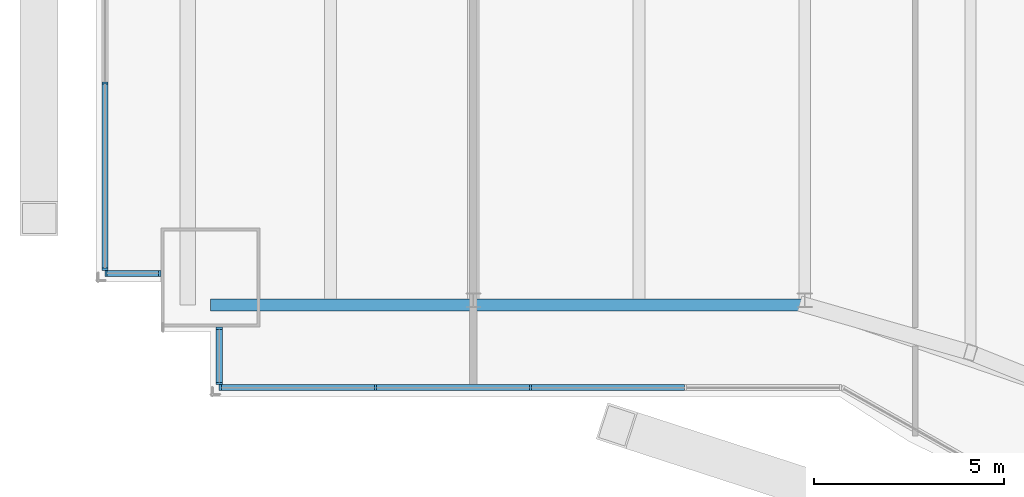
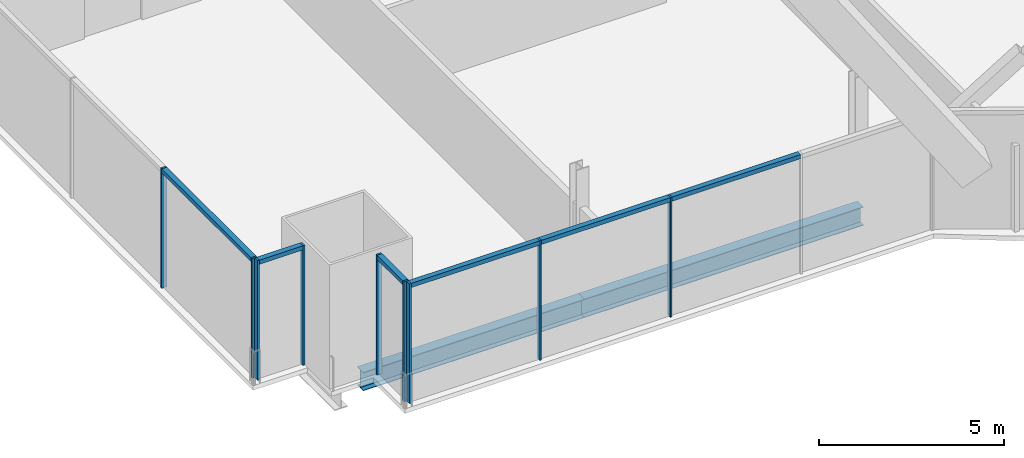
# One storey, part 5 of 24: 15 members, 2 beams, 4 elements without a shape of their own.
"""IFC4 building model written with IfcOpenShell, lengths in metres."""

from ifc_helpers import new_model, si_unit, direction, frame, origin, origin_2d, place, context, subcontext, project, spatial, rectangle, i_section, extrude, material, material_profile, profile_set, type_object, element, aggregate, save


model = new_model("IFC4")

# Units and contexts
model_context = context("Model", 3, precision=1e-05, world=origin(), true_north=direction((0.0, 1.0)))
body_context = subcontext(model_context, "Body", "Model", "MODEL_VIEW")
ifc_project = project(units=[si_unit("LENGTHUNIT", "METRE"), si_unit("AREAUNIT", "SQUARE_METRE"), si_unit("VOLUMEUNIT", "CUBIC_METRE"), si_unit("PLANEANGLEUNIT", "RADIAN"), si_unit("MASSUNIT", "GRAM", prefix="KILO")], contexts=[model_context])

# Site, building, storey
site_placement = place(None, origin())
site = spatial("IfcSite", under=ifc_project, at=site_placement, CompositionType="ELEMENT")
building_placement = place(site_placement, origin())
building = spatial("IfcBuilding", under=site, at=building_placement, Name="Bicima Exchange Tower", CompositionType="ELEMENT")
storey_placement = place(building_placement, frame((0.0, 0.0, 160.89990234375)))
storey = spatial("IfcBuildingStorey", under=building, at=storey_placement, Name="L35", CompositionType="ELEMENT", Elevation=160.89990234375)

# Curtain wall, members
ifc_material_1 = material(Name="Anodised bronze aluminium", Category="aluminium")
curtain_wall_type_1 = type_object("IfcCurtainWallType", Name="End face glass wall", PredefinedType="NOTDEFINED", material=ifc_material_1)
curtain_wall_1_placement = place(storey_placement, origin())
curtain_wall_1 = element("IfcCurtainWall", 1, at=curtain_wall_1_placement, inside=storey, type_object=curtain_wall_type_1, Name="End face glass wall L35 run 2", PredefinedType="NOTDEFINED")
ifc_material_profile_1 = material_profile(ifc_material_1, rectangle(XDim=0.159912109375, YDim=0.06005859375, at=origin_2d()))
ifc_profile_set_1 = profile_set([ifc_material_profile_1], Name="Anodised bronze aluminium")
member_type_1 = type_object("IfcMemberType", Name="End face glass wall mullion 60 x 160", PredefinedType="MULLION", material=ifc_profile_set_1)
member_1_placement = place(storey_placement, frame((-35.77001953125, -26.695556640625, 0.0), z_axis=(0.0, 0.0, 1.0), x_axis=(1.0, 0.0, 0.0)))
member_1 = element("IfcMember", 2, at=member_1_placement, type_object=member_type_1, Name="End face glass wall mullion 4", PredefinedType="MULLION", context=body_context, shape_type="SweptSolid", body=[
    extrude(rectangle(XDim=0.159912109375, YDim=0.06005859375, at=origin_2d()), origin(), (0.0, 0.0, 1.0), 3.9501953125),
])
member_2_placement = place(storey_placement, frame((-35.77001953125, -31.583984375, 0.0), z_axis=(0.0, 0.0, 1.0), x_axis=(1.0, 0.0, 0.0)))
member_2 = element("IfcMember", 3, at=member_2_placement, type_object=member_type_1, Name="End face glass wall mullion 5", PredefinedType="MULLION", context=body_context, shape_type="SweptSolid", body=[
    extrude(rectangle(XDim=0.159912109375, YDim=0.06005859375, at=origin_2d()), origin(), (0.0, 0.0, 1.0), 3.9501953125),
])
ifc_material_profile_2 = material_profile(ifc_material_1, rectangle(XDim=0.159912109375, YDim=0.139892578125, at=origin_2d()))
ifc_profile_set_2 = profile_set([ifc_material_profile_2], Name="Anodised bronze aluminium")
member_type_2 = type_object("IfcMemberType", Name="End face glass wall transom 140 x 160", PredefinedType="USERDEFINED", material=ifc_profile_set_2)
member_3_placement = place(storey_placement, frame((-35.77001953125, -26.7255859375, 3.880126953125), z_axis=(0.0, -1.0, 0.0), x_axis=(1.0, 0.0, 0.0)))
member_3 = element("IfcMember", 4, at=member_3_placement, type_object=member_type_2, Name="End face glass wall transom 4.1", ObjectType="TRANSOM", PredefinedType="USERDEFINED", context=body_context, shape_type="SweptSolid", body=[
    extrude(rectangle(XDim=0.159912109375, YDim=0.139892578125, at=origin_2d()), origin(), (0.0, 0.0, 1.0), 4.828369140625),
])
aggregate(curtain_wall_1, [member_1, member_2, member_3])

# Beams
ifc_material_2 = material(Name="Steel ASTM A992 Gr 50", Category="steel")
ifc_material_profile_3 = material_profile(ifc_material_2, i_section(OverallWidth=0.3251953125, OverallDepth=0.612060546875, WebThickness=0.0126953125, FlangeThickness=0.01904296875, at=origin_2d()))
ifc_profile_set_3 = profile_set([ifc_material_profile_3], Name="Steel ASTM A992 Gr 50")
beam_type = type_object("IfcBeamType", Name="Front girder W24x104", PredefinedType="BEAM", material=ifc_profile_set_3)
beam_1_placement = place(storey_placement, frame((-33.0, -32.52392578125, -0.4560546875), z_axis=(1.0, 0.0, 0.0), x_axis=(0.0, 1.0, 0.0)))
element("IfcBeam", 5, at=beam_1_placement, inside=storey, type_object=beam_type, Name="Front girder", PredefinedType="BEAM", context=body_context, shape_type="SweptSolid", body=[
    extrude(i_section(OverallWidth=0.3251953125, OverallDepth=0.612060546875, WebThickness=0.0126953125, FlangeThickness=0.01904296875, at=origin_2d()), origin(), (0.0, 0.0, 1.0), 6.89990234375),
])
beam_2_placement = place(storey_placement, frame((-26.10009765625, -32.52392578125, -0.4560546875), z_axis=(1.0, 0.0, 0.0), x_axis=(0.0, 1.0, 0.0)))
element("IfcBeam", 6, at=beam_2_placement, inside=storey, type_object=beam_type, Name="Front girder", PredefinedType="BEAM", context=body_context, shape_type="SweptSolid", body=[
    extrude(i_section(OverallWidth=0.3251953125, OverallDepth=0.612060546875, WebThickness=0.0126953125, FlangeThickness=0.01904296875, at=origin_2d()), origin(), (0.0, 0.0, 1.0), 8.7001953125),
])

# Curtain wall, members
curtain_wall_type_2 = type_object("IfcCurtainWallType", Name="Front glass wall", PredefinedType="NOTDEFINED", material=ifc_material_1)
curtain_wall_2_placement = place(storey_placement, origin())
curtain_wall_2 = element("IfcCurtainWall", 7, at=curtain_wall_2_placement, inside=storey, type_object=curtain_wall_type_2, Name="Front glass wall L35 run 3", PredefinedType="NOTDEFINED")
member_type_3 = type_object("IfcMemberType", Name="Front glass wall mullion 60 x 160", PredefinedType="MULLION", material=ifc_profile_set_1)
member_4_placement = place(storey_placement, frame((-35.739990234375, -31.694091796875, 0.0), z_axis=(0.0, 0.0, 1.0), x_axis=(0.0, 1.0, 0.0)))
member_4 = element("IfcMember", 8, at=member_4_placement, type_object=member_type_3, Name="Front glass wall mullion 1", PredefinedType="MULLION", context=body_context, shape_type="SweptSolid", body=[
    extrude(rectangle(XDim=0.159912109375, YDim=0.06005859375, at=origin_2d()), origin(), (0.0, 0.0, 1.0), 3.9501953125),
])
member_5_placement = place(storey_placement, frame((-34.330078125, -31.694091796875, 0.0), z_axis=(0.0, 0.0, 1.0), x_axis=(0.0, 1.0, 0.0)))
member_5 = element("IfcMember", 9, at=member_5_placement, type_object=member_type_3, Name="Front glass wall mullion 2", PredefinedType="MULLION", context=body_context, shape_type="SweptSolid", body=[
    extrude(rectangle(XDim=0.159912109375, YDim=0.06005859375, at=origin_2d()), origin(), (0.0, 0.0, 1.0), 3.9501953125),
])

curtain_wall_3_placement = place(storey_placement, origin())
curtain_wall_3 = element("IfcCurtainWall", 10, at=curtain_wall_3_placement, inside=storey, type_object=curtain_wall_type_2, Name="Front glass wall L35 run 4", PredefinedType="NOTDEFINED")
member_6_placement = place(storey_placement, frame((-32.77001953125, -33.132080078125, 0.0), z_axis=(0.0, 0.0, 1.0), x_axis=(1.0, 0.0, 0.0)))
member_6 = element("IfcMember", 11, at=member_6_placement, type_object=member_type_3, Name="Front glass wall mullion 1", PredefinedType="MULLION", context=body_context, shape_type="SweptSolid", body=[
    extrude(rectangle(XDim=0.159912109375, YDim=0.06005859375, at=origin_2d()), origin(), (0.0, 0.0, 1.0), 3.9501953125),
])
member_7_placement = place(storey_placement, frame((-32.77001953125, -34.583984375, 0.0), z_axis=(0.0, 0.0, 1.0), x_axis=(1.0, 0.0, 0.0)))
member_7 = element("IfcMember", 12, at=member_7_placement, type_object=member_type_3, Name="Front glass wall mullion 2", PredefinedType="MULLION", context=body_context, shape_type="SweptSolid", body=[
    extrude(rectangle(XDim=0.159912109375, YDim=0.06005859375, at=origin_2d()), origin(), (0.0, 0.0, 1.0), 3.9501953125),
])

curtain_wall_4_placement = place(storey_placement, origin())
curtain_wall_4 = element("IfcCurtainWall", 13, at=curtain_wall_4_placement, inside=storey, type_object=curtain_wall_type_2, Name="Front glass wall L35 run 5", PredefinedType="NOTDEFINED")
member_8_placement = place(storey_placement, frame((-32.739990234375, -34.694091796875, 0.0), z_axis=(0.0, 0.0, 1.0), x_axis=(0.0, 1.0, 0.0)))
member_8 = element("IfcMember", 14, at=member_8_placement, type_object=member_type_3, Name="Front glass wall mullion 1", PredefinedType="MULLION", context=body_context, shape_type="SweptSolid", body=[
    extrude(rectangle(XDim=0.159912109375, YDim=0.06005859375, at=origin_2d()), origin(), (0.0, 0.0, 1.0), 3.9501953125),
])
member_9_placement = place(storey_placement, frame((-28.67041015625, -34.694091796875, 0.0), z_axis=(0.0, 0.0, 1.0), x_axis=(0.0, 1.0, 0.0)))
member_9 = element("IfcMember", 15, at=member_9_placement, type_object=member_type_3, Name="Front glass wall mullion 2", PredefinedType="MULLION", context=body_context, shape_type="SweptSolid", body=[
    extrude(rectangle(XDim=0.159912109375, YDim=0.06005859375, at=origin_2d()), origin(), (0.0, 0.0, 1.0), 3.9501953125),
])
member_10_placement = place(storey_placement, frame((-24.60107421875, -34.694091796875, 0.0), z_axis=(0.0, 0.0, 1.0), x_axis=(0.0, 1.0, 0.0)))
member_10 = element("IfcMember", 16, at=member_10_placement, type_object=member_type_3, Name="Front glass wall mullion 3", PredefinedType="MULLION", context=body_context, shape_type="SweptSolid", body=[
    extrude(rectangle(XDim=0.159912109375, YDim=0.06005859375, at=origin_2d()), origin(), (0.0, 0.0, 1.0), 3.9501953125),
])

# Member
member_type_4 = type_object("IfcMemberType", Name="Front glass wall transom 140 x 160", PredefinedType="USERDEFINED", material=ifc_profile_set_2)
member_11_placement = place(storey_placement, frame((-35.7099609375, -31.694091796875, 3.880126953125), z_axis=(1.0, 0.0, 0.0), x_axis=(0.0, 1.0, 0.0)))
member_11 = element("IfcMember", 17, at=member_11_placement, type_object=member_type_4, Name="Front glass wall transom 1.1", ObjectType="TRANSOM", PredefinedType="USERDEFINED", context=body_context, shape_type="SweptSolid", body=[
    extrude(rectangle(XDim=0.159912109375, YDim=0.139892578125, at=origin_2d()), origin(), (0.0, 0.0, 1.0), 1.349853515625),
])

aggregate(curtain_wall_2, [member_4, member_5, member_11])

member_12_placement = place(storey_placement, frame((-32.77001953125, -33.162109375, 3.880126953125), z_axis=(0.0, -1.0, 0.0), x_axis=(1.0, 0.0, 0.0)))
member_12 = element("IfcMember", 18, at=member_12_placement, type_object=member_type_4, Name="Front glass wall transom 1.1", ObjectType="TRANSOM", PredefinedType="USERDEFINED", context=body_context, shape_type="SweptSolid", body=[
    extrude(rectangle(XDim=0.159912109375, YDim=0.139892578125, at=origin_2d()), origin(), (0.0, 0.0, 1.0), 1.391845703125),
])

aggregate(curtain_wall_3, [member_6, member_7, member_12])

member_13_placement = place(storey_placement, frame((-32.7099609375, -34.694091796875, 3.880126953125), z_axis=(1.0, 0.0, 0.0), x_axis=(0.0, 1.0, 0.0)))
member_13 = element("IfcMember", 19, at=member_13_placement, type_object=member_type_4, Name="Front glass wall transom 1.1", ObjectType="TRANSOM", PredefinedType="USERDEFINED", context=body_context, shape_type="SweptSolid", body=[
    extrude(rectangle(XDim=0.159912109375, YDim=0.139892578125, at=origin_2d()), origin(), (0.0, 0.0, 1.0), 4.009521484375),
])

member_14_placement = place(storey_placement, frame((-28.640380859375, -34.694091796875, 3.880126953125), z_axis=(1.0, 0.0, 0.0), x_axis=(0.0, 1.0, 0.0)))
member_14 = element("IfcMember", 20, at=member_14_placement, type_object=member_type_4, Name="Front glass wall transom 2.1", ObjectType="TRANSOM", PredefinedType="USERDEFINED", context=body_context, shape_type="SweptSolid", body=[
    extrude(rectangle(XDim=0.159912109375, YDim=0.139892578125, at=origin_2d()), origin(), (0.0, 0.0, 1.0), 4.00927734375),
])

member_15_placement = place(storey_placement, frame((-24.571044921875, -34.694091796875, 3.880126953125), z_axis=(1.0, 0.0, 0.0), x_axis=(0.0, 1.0, 0.0)))
member_15 = element("IfcMember", 21, at=member_15_placement, type_object=member_type_4, Name="Front glass wall transom 3.1", ObjectType="TRANSOM", PredefinedType="USERDEFINED", context=body_context, shape_type="SweptSolid", body=[
    extrude(rectangle(XDim=0.159912109375, YDim=0.139892578125, at=origin_2d()), origin(), (0.0, 0.0, 1.0), 4.009521484375),
])

aggregate(curtain_wall_4, [member_8, member_9, member_10, member_13, member_14, member_15])

save(model, "model.ifc")
